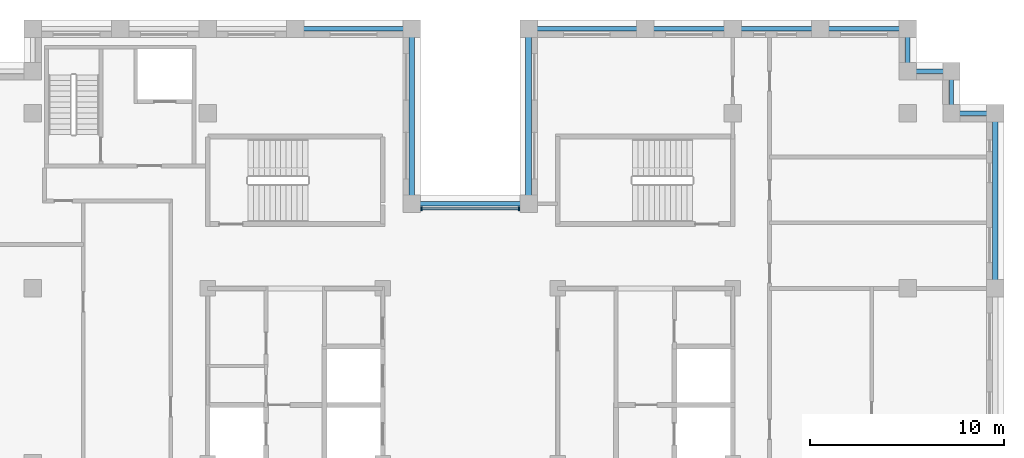
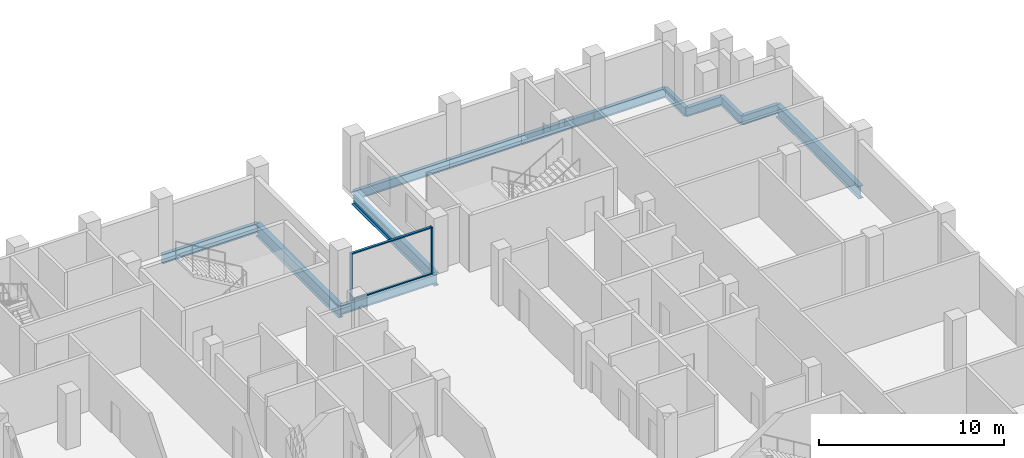
# One storey, part 4 of 13: 13 beams, 4 members, 1 element without a shape of its own.
"""IFC4 building model written with IfcOpenShell, lengths in metres."""

from ifc_helpers import new_model, si_unit, direction, frame, origin, origin_2d, place, context, subcontext, project, spatial, rectangle, i_section, extrude, material, layer, layer_set, material_profile, profile_set, type_object, element, aggregate, save


model = new_model("IFC4")

# Units and contexts
model_context = context("Model", 3, precision=1e-05, world=origin(), true_north=direction((0.0, 1.0)))
body_context = subcontext(model_context, "Body", "Model", "MODEL_VIEW")
ifc_project = project(units=[si_unit("LENGTHUNIT", "METRE"), si_unit("AREAUNIT", "SQUARE_METRE"), si_unit("VOLUMEUNIT", "CUBIC_METRE"), si_unit("PLANEANGLEUNIT", "RADIAN"), si_unit("MASSUNIT", "GRAM", prefix="KILO")], contexts=[model_context])

# Site, building, storey
site_placement = place(None, origin())
site = spatial("IfcSite", under=ifc_project, at=site_placement, CompositionType="ELEMENT")
building_placement = place(site_placement, origin())
building = spatial("IfcBuilding", under=site, at=building_placement, Name="Corbelhall Arena Tower", CompositionType="ELEMENT")
storey_placement = place(building_placement, frame((0.0, 0.0, 254.0)))
storey = spatial("IfcBuildingStorey", under=building, at=storey_placement, Name="L54", CompositionType="ELEMENT", Elevation=254.0)

# Curtain wall, members
ifc_material_1 = material(Name="Aluminium black anodised", Category="aluminium")
ifc_layer = layer(ifc_material_1, 0.199951171875)
ifc_layer_set = layer_set([ifc_layer], Name="EV-CW1 Slot back wall")
curtain_wall_type = type_object("IfcCurtainWallType", Name="EV-CW1 Slot back wall", PredefinedType="NOTDEFINED", material=ifc_layer_set)
curtain_wall_placement = place(storey_placement, origin())
curtain_wall = element("IfcCurtainWall", 1, at=curtain_wall_placement, inside=storey, type_object=curtain_wall_type, Name="Curtain wall CW1", PredefinedType="NOTDEFINED")
ifc_material_profile_1 = material_profile(ifc_material_1, rectangle(XDim=0.199951171875, YDim=0.074951171875, at=origin_2d()))
ifc_profile_set_1 = profile_set([ifc_material_profile_1], Name="Aluminium black anodised")
member_type_1 = type_object("IfcMemberType", Name="EV-CW1-MULLION", PredefinedType="MULLION", material=ifc_profile_set_1)
member_1_placement = place(storey_placement, frame((2.512451171875, 13.10009765625, 0.0), z_axis=(0.0, 0.0, 1.0), x_axis=(0.0, -1.0, 0.0)))
member_1 = element("IfcMember", 2, at=member_1_placement, type_object=member_type_1, Name="CW1 mullion 1", PredefinedType="MULLION", context=body_context, shape_type="SweptSolid", body=[
    extrude(rectangle(XDim=0.199951171875, YDim=0.074951171875, at=origin_2d()), origin(), (0.0, 0.0, 1.0), 3.1201171875),
])
member_2_placement = place(storey_placement, frame((-2.512451171875, 13.10009765625, 0.0), z_axis=(0.0, 0.0, 1.0), x_axis=(0.0, -1.0, 0.0)))
member_2 = element("IfcMember", 3, at=member_2_placement, type_object=member_type_1, Name="CW1 mullion 2", PredefinedType="MULLION", context=body_context, shape_type="SweptSolid", body=[
    extrude(rectangle(XDim=0.199951171875, YDim=0.074951171875, at=origin_2d()), origin(), (0.0, 0.0, 1.0), 3.1201171875),
])
ifc_material_profile_2 = material_profile(ifc_material_1, rectangle(XDim=0.14990234375, YDim=0.074951171875, at=origin_2d()))
ifc_profile_set_2 = profile_set([ifc_material_profile_2], Name="Aluminium black anodised")
member_type_2 = type_object("IfcMemberType", Name="EV-CW1-TRANSOM", PredefinedType="USERDEFINED", material=ifc_profile_set_2)
member_3_placement = place(storey_placement, frame((2.47509765625, 13.10009765625, 0.03759765625), z_axis=(-1.0, 0.0, 0.0), x_axis=(0.0, -1.0, 0.0)))
member_3 = element("IfcMember", 4, at=member_3_placement, type_object=member_type_2, Name="CW1 transom 1.1", ObjectType="transom", PredefinedType="USERDEFINED", context=body_context, shape_type="SweptSolid", body=[
    extrude(rectangle(XDim=0.14990234375, YDim=0.074951171875, at=origin_2d()), origin(), (0.0, 0.0, 1.0), 4.9501953125),
])
member_4_placement = place(storey_placement, frame((2.47509765625, 13.10009765625, 3.08251953125), z_axis=(-1.0, 0.0, 0.0), x_axis=(0.0, -1.0, 0.0)))
member_4 = element("IfcMember", 5, at=member_4_placement, type_object=member_type_2, Name="CW1 transom 1.2", ObjectType="transom", PredefinedType="USERDEFINED", context=body_context, shape_type="SweptSolid", body=[
    extrude(rectangle(XDim=0.14990234375, YDim=0.074951171875, at=origin_2d()), origin(), (0.0, 0.0, 1.0), 4.9501953125),
])
aggregate(curtain_wall, [member_1, member_2, member_3, member_4])

# Beams
ifc_material_2 = material(Name="Steel ASTM A992 Gr50", Category="steel")
ifc_material_profile_3 = material_profile(ifc_material_2, i_section(OverallWidth=0.227783203125, OverallDepth=0.60205078125, WebThickness=0.010498046875, FlangeThickness=0.014892578125, at=origin_2d()))
ifc_profile_set_3 = profile_set([ifc_material_profile_3], Name="Steel ASTM A992 Gr50")
beam_type_1 = type_object("IfcBeamType", Name="ST-SPANDREL-W24x68", PredefinedType="SPANDREL", material=ifc_profile_set_3)
beam_1_placement = place(storey_placement, frame((3.0, 22.35009765625, -0.5810546875), z_axis=(1.0, 0.0, 0.0), x_axis=(0.0, 1.0, 0.0)))
element("IfcBeam", 6, at=beam_1_placement, inside=storey, type_object=beam_type_1, Name="Beam SP 6", PredefinedType="SPANDREL", context=body_context, shape_type="SweptSolid", body=[
    extrude(i_section(OverallWidth=0.227783203125, OverallDepth=0.60205078125, WebThickness=0.010498046875, FlangeThickness=0.014892578125, at=origin_2d()), origin(), (0.0, 0.0, 1.0), 6.0),
])
for number, where, z_axis, x_axis, name in (
    (7, (9.0, 22.35009765625, -0.5810546875), (1.0, 0.0, 0.0), (0.0, 1.0, 0.0), "Beam SP 7"),
    (8, (13.5, 22.35009765625, -0.5810546875), (1.0, 0.0, 0.0), (0.0, 1.0, 0.0), "Beam SP 8"),
    (9, (18.0, 22.35009765625, -0.5810546875), (1.0, 0.0, 0.0), (0.0, 1.0, 0.0), "Beam SP 9"),
):
    element("IfcBeam", number, at=place(storey_placement, frame(where, z_axis=z_axis, x_axis=x_axis)), inside=storey, type_object=beam_type_1, Name=name, PredefinedType="SPANDREL", context=body_context, shape_type="SweptSolid", body=[
        extrude(i_section(OverallWidth=0.227783203125, OverallDepth=0.60205078125, WebThickness=0.010498046875, FlangeThickness=0.014892578125, at=origin_2d()), origin(), (0.0, 0.0, 1.0), 4.5),
    ])
beam_2_placement = place(storey_placement, frame((22.5, 22.35009765625, -0.5810546875), z_axis=(0.0, -1.0, 0.0), x_axis=(1.0, 0.0, 0.0)))
element("IfcBeam", 10, at=beam_2_placement, inside=storey, type_object=beam_type_1, Name="Beam SP 10", PredefinedType="SPANDREL", context=body_context, shape_type="SweptSolid", body=[
    extrude(i_section(OverallWidth=0.227783203125, OverallDepth=0.60205078125, WebThickness=0.010498046875, FlangeThickness=0.014892578125, at=origin_2d()), origin(), (0.0, 0.0, 1.0), 2.175048828125),
])
for number, where, z_axis, x_axis, name in (
    (11, (-9.0, 22.35009765625, -0.5810546875), (1.0, 0.0, 0.0), (0.0, 1.0, 0.0), "Beam SP 12"),
    (12, (-3.0, 13.35009765625, -0.5810546875), (1.0, 0.0, 0.0), (0.0, 1.0, 0.0), "Beam SP 32"),
):
    element("IfcBeam", number, at=place(storey_placement, frame(where, z_axis=z_axis, x_axis=x_axis)), inside=storey, type_object=beam_type_1, Name=name, PredefinedType="SPANDREL", context=body_context, shape_type="SweptSolid", body=[
        extrude(i_section(OverallWidth=0.227783203125, OverallDepth=0.60205078125, WebThickness=0.010498046875, FlangeThickness=0.014892578125, at=origin_2d()), origin(), (0.0, 0.0, 1.0), 6.0),
    ])
beam_3_placement = place(storey_placement, frame((22.5, 20.175048828125, -0.5810546875), z_axis=(1.0, 0.0, 0.0), x_axis=(0.0, 1.0, 0.0)))
element("IfcBeam", 13, at=beam_3_placement, inside=storey, type_object=beam_type_1, Name="Beam SP 35", PredefinedType="SPANDREL", context=body_context, shape_type="SweptSolid", body=[
    extrude(i_section(OverallWidth=0.227783203125, OverallDepth=0.60205078125, WebThickness=0.010498046875, FlangeThickness=0.014892578125, at=origin_2d()), origin(), (0.0, 0.0, 1.0), 2.25),
])
beam_4_placement = place(storey_placement, frame((24.75, 20.175048828125, -0.5810546875), z_axis=(0.0, -1.0, 0.0), x_axis=(1.0, 0.0, 0.0)))
element("IfcBeam", 14, at=beam_4_placement, inside=storey, type_object=beam_type_1, Name="Beam SP 36", PredefinedType="SPANDREL", context=body_context, shape_type="SweptSolid", body=[
    extrude(i_section(OverallWidth=0.227783203125, OverallDepth=0.60205078125, WebThickness=0.010498046875, FlangeThickness=0.014892578125, at=origin_2d()), origin(), (0.0, 0.0, 1.0), 2.175048828125),
])
beam_5_placement = place(storey_placement, frame((24.75, 18.0, -0.5810546875), z_axis=(1.0, 0.0, 0.0), x_axis=(0.0, 1.0, 0.0)))
element("IfcBeam", 15, at=beam_5_placement, inside=storey, type_object=beam_type_1, Name="Beam SP 37", PredefinedType="SPANDREL", context=body_context, shape_type="SweptSolid", body=[
    extrude(i_section(OverallWidth=0.227783203125, OverallDepth=0.60205078125, WebThickness=0.010498046875, FlangeThickness=0.014892578125, at=origin_2d()), origin(), (0.0, 0.0, 1.0), 2.25),
])
ifc_material_profile_4 = material_profile(ifc_material_2, i_section(OverallWidth=0.2919921875, OverallDepth=0.845703125, WebThickness=0.015380859375, FlangeThickness=0.0244140625, at=origin_2d()))
ifc_profile_set_4 = profile_set([ifc_material_profile_4], Name="Steel ASTM A992 Gr50")
beam_type_2 = type_object("IfcBeamType", Name="ST-SPANDREL-W33x141", PredefinedType="SPANDREL", material=ifc_profile_set_4)
for number, where, z_axis, x_axis, name in (
    (16, (27.0, 18.0, -0.702880859375), (0.0, -1.0, 0.0), (1.0, 0.0, 0.0), "Beam SP 3"),
    (17, (-3.0, 22.35009765625, -0.702880859375), (0.0, -1.0, 0.0), (1.0, 0.0, 0.0), "Beam SP 11"),
    (18, (3.0, 13.35009765625, -0.702880859375), (0.0, 1.0, 0.0), (-1.0, 0.0, 0.0), "Beam SP 31"),
):
    element("IfcBeam", number, at=place(storey_placement, frame(where, z_axis=z_axis, x_axis=x_axis)), inside=storey, type_object=beam_type_2, Name=name, PredefinedType="SPANDREL", context=body_context, shape_type="SweptSolid", body=[
        extrude(i_section(OverallWidth=0.2919921875, OverallDepth=0.845703125, WebThickness=0.015380859375, FlangeThickness=0.0244140625, at=origin_2d()), origin(), (0.0, 0.0, 1.0), 9.0),
    ])

save(model, "model.ifc")
